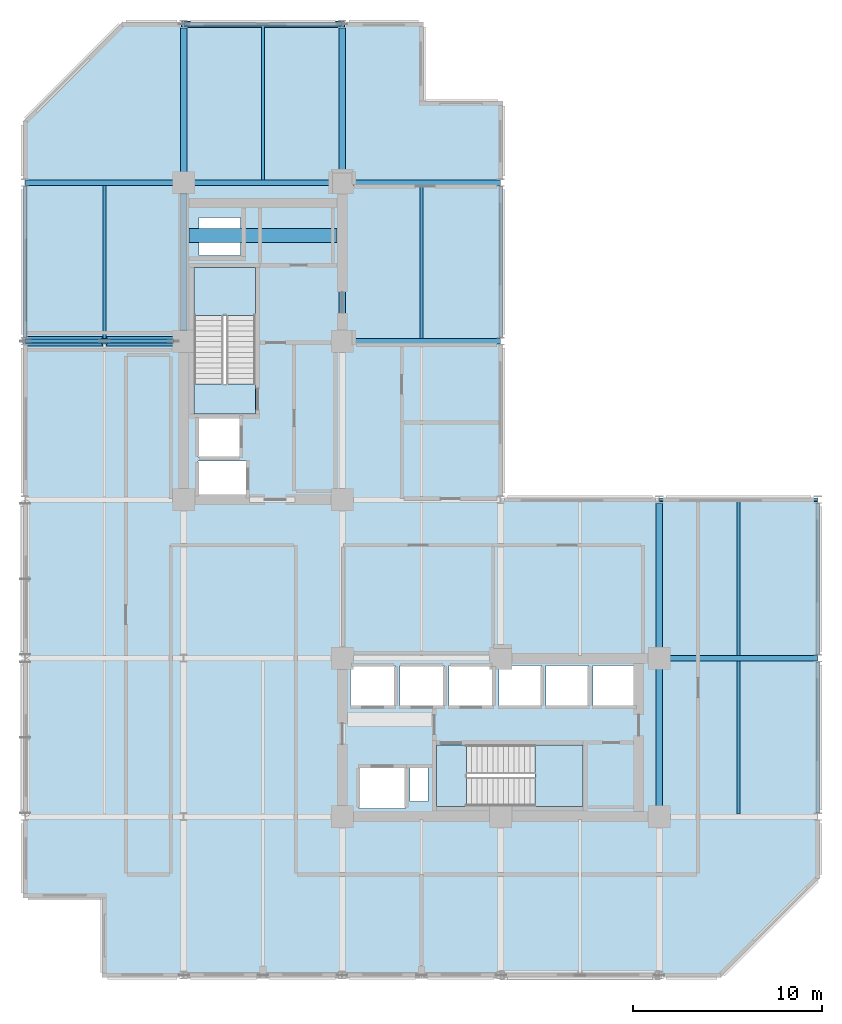
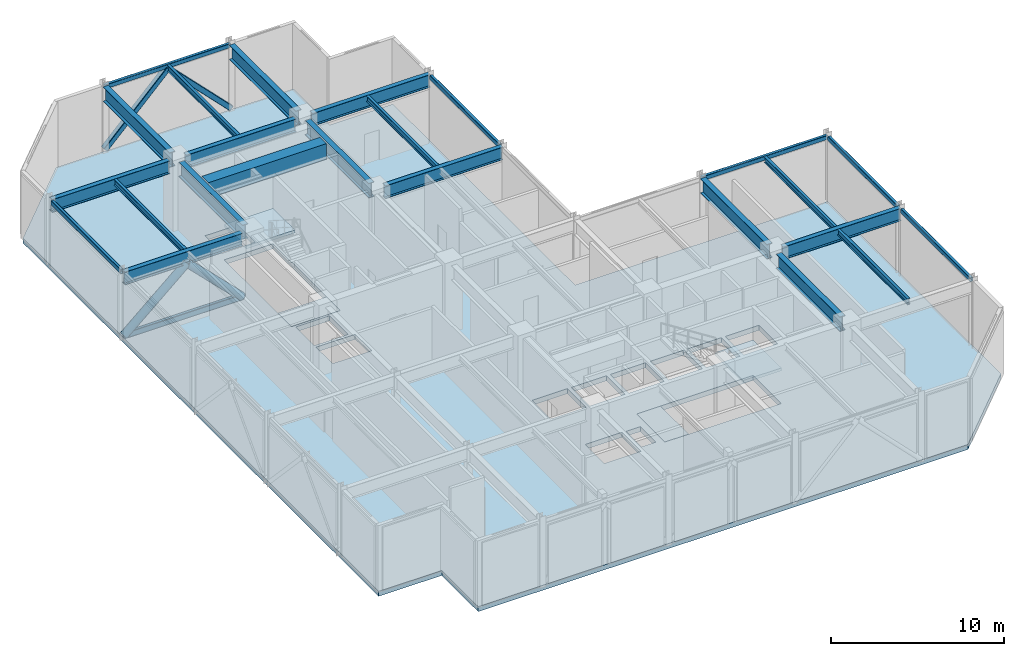
# One storey, part 2 of 10: 24 beams, 5 members, 5 slabs, 2 elements without a shape of their own.
"""IFC4 building model written with IfcOpenShell, lengths in metres."""

from ifc_helpers import new_model, si_unit, direction, frame, origin, origin_2d, place, context, subcontext, project, spatial, polyline, rectangle, hollow_rectangle, hollow_circle, i_section, outline, extrude, material, layer, layer_set, material_profile, profile_set, type_object, element, aggregate, save


model = new_model("IFC4")

# Units and contexts
model_context = context("Model", 3, precision=1e-05, world=origin(), true_north=direction((0.0, 1.0)))
body_context = subcontext(model_context, "Body", "Model", "MODEL_VIEW")
ifc_project = project(units=[si_unit("LENGTHUNIT", "METRE"), si_unit("AREAUNIT", "SQUARE_METRE"), si_unit("VOLUMEUNIT", "CUBIC_METRE"), si_unit("PLANEANGLEUNIT", "RADIAN"), si_unit("MASSUNIT", "GRAM", prefix="KILO")], contexts=[model_context])

# Site, building, storey
site_placement = place(None, origin())
site = spatial("IfcSite", under=ifc_project, at=site_placement, CompositionType="ELEMENT")
building_placement = place(site_placement, origin())
building = spatial("IfcBuilding", under=site, at=building_placement, Name="Nerrivon Quay Data Exchange", CompositionType="ELEMENT")
storey_placement = place(building_placement, frame((0.0, 0.0, 162.300048828125)))
storey = spatial("IfcBuildingStorey", under=building, at=storey_placement, Name="L38", CompositionType="ELEMENT", Elevation=162.300048828125)

# Beams
ifc_material_1 = material(Name="Concrete S65 (65 MPa)", Category="concrete")
ifc_material_profile_1 = material_profile(ifc_material_1, rectangle(XDim=0.75, YDim=1.10009765625, at=origin_2d()), Name="RC-CB-750x1100")
ifc_profile_set_1 = profile_set([ifc_material_profile_1], Name="Concrete S65 (65 MPa)")
beam_type_1 = type_object("IfcBeamType", Name="BM-CB1-750x1100", PredefinedType="LINTEL", material=ifc_profile_set_1)
beam_1_placement = place(storey_placement, frame((8.675048828125, 39.199951171875, 4.175048828125), z_axis=(1.0, 0.0, 0.0), x_axis=(0.0, 1.0, 0.0)))
element("IfcBeam", 1, at=beam_1_placement, inside=storey, type_object=beam_type_1, Name="L38 West Core Coupling Beam", PredefinedType="LINTEL", context=body_context, shape_type="SweptSolid", body=[
    extrude(rectangle(XDim=0.75, YDim=1.10009765625, at=origin_2d()), origin(), (0.0, 0.0, 1.0), 7.849853515625),
])
ifc_material_2 = material(Name="Steel Grade 350", Category="steel")
ifc_material_profile_2 = material_profile(ifc_material_2, i_section(OverallWidth=0.177978515625, OverallDepth=0.403076171875, WebThickness=0.007568359375, FlangeThickness=0.010986328125, FilletRadius=0.011474609375, at=origin_2d()), Name="410UB53.7")
ifc_profile_set_2 = profile_set([ifc_material_profile_2], Name="Steel Grade 350")
beam_type_2 = type_object("IfcBeamType", Name="BM-J2-410UB54", PredefinedType="JOIST", material=ifc_profile_set_2)
beam_2_placement = place(storey_placement, frame((4.199951171875, 33.75, 4.5234375), z_axis=(0.0, 1.0, 0.0), x_axis=(-1.0, 0.0, 0.0)))
element("IfcBeam", 2, at=beam_2_placement, inside=storey, type_object=beam_type_2, Name="L38 Secondary Joist X=4.2 (33.6..42.0)", PredefinedType="JOIST", context=body_context, shape_type="SweptSolid", body=[
    extrude(i_section(OverallWidth=0.177978515625, OverallDepth=0.403076171875, WebThickness=0.007568359375, FlangeThickness=0.010986328125, FilletRadius=0.011474609375, at=origin_2d()), origin(), (0.0, 0.0, 1.0), 8.10009765625),
])
beam_3_placement = place(storey_placement, frame((12.60009765625, 42.14990234375, 4.5234375), z_axis=(0.0, 1.0, 0.0), x_axis=(-1.0, 0.0, 0.0)))
element("IfcBeam", 3, at=beam_3_placement, inside=storey, type_object=beam_type_2, Name="L38 Secondary Joist X=12.6 (42.0..50.4)", PredefinedType="JOIST", context=body_context, shape_type="SweptSolid", body=[
    extrude(i_section(OverallWidth=0.177978515625, OverallDepth=0.403076171875, WebThickness=0.007568359375, FlangeThickness=0.010986328125, FilletRadius=0.011474609375, at=origin_2d()), origin(), (0.0, 0.0, 1.0), 8.150146484375),
])
beam_4_placement = place(storey_placement, frame((21.0, 33.75, 4.5234375), z_axis=(0.0, 1.0, 0.0), x_axis=(-1.0, 0.0, 0.0)))
element("IfcBeam", 4, at=beam_4_placement, inside=storey, type_object=beam_type_2, Name="L38 Secondary Joist X=21.0 (33.6..42.0)", PredefinedType="JOIST", context=body_context, shape_type="SweptSolid", body=[
    extrude(i_section(OverallWidth=0.177978515625, OverallDepth=0.403076171875, WebThickness=0.007568359375, FlangeThickness=0.010986328125, FilletRadius=0.011474609375, at=origin_2d()), origin(), (0.0, 0.0, 1.0), 8.10009765625),
])
beam_5_placement = place(storey_placement, frame((37.800048828125, 8.550048828125, 4.5234375), z_axis=(0.0, 1.0, 0.0), x_axis=(-1.0, 0.0, 0.0)))
element("IfcBeam", 5, at=beam_5_placement, inside=storey, type_object=beam_type_2, Name="L38 Secondary Joist X=37.8 (8.4..16.8)", PredefinedType="JOIST", context=body_context, shape_type="SweptSolid", body=[
    extrude(i_section(OverallWidth=0.177978515625, OverallDepth=0.403076171875, WebThickness=0.007568359375, FlangeThickness=0.010986328125, FilletRadius=0.011474609375, at=origin_2d()), origin(), (0.0, 0.0, 1.0), 8.099853515625),
])
beam_6_placement = place(storey_placement, frame((37.800048828125, 16.949951171875, 4.5234375), z_axis=(0.0, 1.0, 0.0), x_axis=(-1.0, 0.0, 0.0)))
element("IfcBeam", 6, at=beam_6_placement, inside=storey, type_object=beam_type_2, Name="L38 Secondary Joist X=37.8 (16.8..25.2)", PredefinedType="JOIST", context=body_context, shape_type="SweptSolid", body=[
    extrude(i_section(OverallWidth=0.177978515625, OverallDepth=0.403076171875, WebThickness=0.007568359375, FlangeThickness=0.010986328125, FilletRadius=0.011474609375, at=origin_2d()), origin(), (0.0, 0.0, 1.0), 8.150146484375),
])
ifc_material_profile_3 = material_profile(ifc_material_2, i_section(OverallWidth=0.300048828125, OverallDepth=0.89990234375, WebThickness=0.011962890625, FlangeThickness=0.02001953125, at=origin_2d()), Name="900WB175")
ifc_profile_set_3 = profile_set([ifc_material_profile_3], Name="Steel Grade 350")
beam_type_3 = type_object("IfcBeamType", Name="BM-OUT-900WB175", PredefinedType="BEAM", material=ifc_profile_set_3)
for number, where, z_axis, x_axis, name in (
    (7, (34.139892578125, 16.800048828125, 4.27490234375), (1.0, 0.0, 0.0), (0.0, 1.0, 0.0), "L38 EW Girder Y=16.8 (33.6..42.0)"),
    (8, (0.012451171875, 33.60009765625, 4.27490234375), (1.0, 0.0, 0.0), (0.0, 1.0, 0.0), "L38 EW Girder Y=33.6 (0.0..8.4)"),
):
    element("IfcBeam", number, at=place(storey_placement, frame(where, z_axis=z_axis, x_axis=x_axis)), inside=storey, type_object=beam_type_3, Name=name, PredefinedType="BEAM", context=body_context, shape_type="SweptSolid", body=[
        extrude(i_section(OverallWidth=0.300048828125, OverallDepth=0.89990234375, WebThickness=0.011962890625, FlangeThickness=0.02001953125, at=origin_2d()), origin(), (0.0, 0.0, 1.0), 7.84765625),
    ])
beam_7_placement = place(storey_placement, frame((17.340087890625, 33.60009765625, 4.27490234375), z_axis=(1.0, 0.0, 0.0), x_axis=(0.0, 1.0, 0.0)))
element("IfcBeam", 9, at=beam_7_placement, inside=storey, type_object=beam_type_3, Name="L38 EW Girder Y=33.6 (16.8..25.2)", PredefinedType="BEAM", context=body_context, shape_type="SweptSolid", body=[
    extrude(i_section(OverallWidth=0.300048828125, OverallDepth=0.89990234375, WebThickness=0.011962890625, FlangeThickness=0.02001953125, at=origin_2d()), origin(), (0.0, 0.0, 1.0), 7.847412109375),
])
beam_8_placement = place(storey_placement, frame((0.012451171875, 42.0, 4.27490234375), z_axis=(1.0, 0.0, 0.0), x_axis=(0.0, 1.0, 0.0)))
element("IfcBeam", 10, at=beam_8_placement, inside=storey, type_object=beam_type_3, Name="L38 EW Girder Y=42.0 (0.0..8.4)", PredefinedType="BEAM", context=body_context, shape_type="SweptSolid", body=[
    extrude(i_section(OverallWidth=0.300048828125, OverallDepth=0.89990234375, WebThickness=0.011962890625, FlangeThickness=0.02001953125, at=origin_2d()), origin(), (0.0, 0.0, 1.0), 7.84765625),
])
beam_9_placement = place(storey_placement, frame((8.93994140625, 42.0, 4.27490234375), z_axis=(1.0, 0.0, 0.0), x_axis=(0.0, 1.0, 0.0)))
element("IfcBeam", 11, at=beam_9_placement, inside=storey, type_object=beam_type_3, Name="L38 EW Girder Y=42.0 (8.4..16.8)", PredefinedType="BEAM", context=body_context, shape_type="SweptSolid", body=[
    extrude(i_section(OverallWidth=0.300048828125, OverallDepth=0.89990234375, WebThickness=0.011962890625, FlangeThickness=0.02001953125, at=origin_2d()), origin(), (0.0, 0.0, 1.0), 7.320068359375),
])
beam_10_placement = place(storey_placement, frame((17.340087890625, 42.0, 4.27490234375), z_axis=(1.0, 0.0, 0.0), x_axis=(0.0, 1.0, 0.0)))
element("IfcBeam", 12, at=beam_10_placement, inside=storey, type_object=beam_type_3, Name="L38 EW Girder Y=42.0 (16.8..25.2)", PredefinedType="BEAM", context=body_context, shape_type="SweptSolid", body=[
    extrude(i_section(OverallWidth=0.300048828125, OverallDepth=0.89990234375, WebThickness=0.011962890625, FlangeThickness=0.02001953125, at=origin_2d()), origin(), (0.0, 0.0, 1.0), 7.847412109375),
])
ifc_material_3 = material(Name="Steel Grade C350L0 (350 MPa)", Category="steel")
ifc_material_profile_4 = material_profile(ifc_material_3, hollow_rectangle(XDim=0.199951171875, YDim=0.300048828125, WallThickness=0.012451171875, InnerFilletRadius=0.018798828125, OuterFilletRadius=0.03125, at=origin_2d()), Name="300x200x12.5RHS")
ifc_profile_set_4 = profile_set([ifc_material_profile_4], Name="Steel Grade C350L0 (350 MPa)")
beam_type_4 = type_object("IfcBeamType", Name="BM-SP3-300x200RHS", PredefinedType="SPANDREL", material=ifc_profile_set_4)
for number, where, z_axis, x_axis, name in (
    (13, (33.612548828125, 25.199951171875, 4.574951171875), (1.0, 0.0, 0.0), (0.0, 1.0, 0.0), "L38 EW Girder Y=25.2 (33.6..42.0)"),
    (14, (8.41259765625, 50.39990234375, 4.574951171875), (1.0, 0.0, 0.0), (0.0, 1.0, 0.0), "L38 EW Girder Y=50.4 (8.4..16.8)"),
):
    element("IfcBeam", number, at=place(storey_placement, frame(where, z_axis=z_axis, x_axis=x_axis)), inside=storey, type_object=beam_type_4, Name=name, PredefinedType="SPANDREL", context=body_context, shape_type="SweptSolid", body=[
        extrude(hollow_rectangle(XDim=0.199951171875, YDim=0.300048828125, WallThickness=0.012451171875, InnerFilletRadius=0.018798828125, OuterFilletRadius=0.03125, at=origin_2d()), origin(), (0.0, 0.0, 1.0), 8.375),
    ])
for number, where, z_axis, x_axis, name in (
    (15, (0.0, 33.800048828125, 4.574951171875), (0.0, 1.0, 0.0), (-1.0, 0.0, 0.0), "L38 NS Girder X=0.0 (33.6..42.0)"),
    (16, (25.199951171875, 33.800048828125, 4.574951171875), (0.0, 1.0, 0.0), (-1.0, 0.0, 0.0), "L38 NS Girder X=25.2 (33.6..42.0)"),
    (17, (42.0, 8.60009765625, 4.574951171875), (0.0, 1.0, 0.0), (-1.0, 0.0, 0.0), "L38 NS Girder X=42.0 (8.4..16.8)"),
    (18, (42.0, 17.0, 4.574951171875), (0.0, 1.0, 0.0), (-1.0, 0.0, 0.0), "L38 NS Girder X=42.0 (16.8..25.2)"),
):
    element("IfcBeam", number, at=place(storey_placement, frame(where, z_axis=z_axis, x_axis=x_axis)), inside=storey, type_object=beam_type_4, Name=name, PredefinedType="SPANDREL", context=body_context, shape_type="SweptSolid", body=[
        extrude(hollow_rectangle(XDim=0.199951171875, YDim=0.300048828125, WallThickness=0.012451171875, InnerFilletRadius=0.018798828125, OuterFilletRadius=0.03125, at=origin_2d()), origin(), (0.0, 0.0, 1.0), 8.0),
    ])
ifc_material_profile_5 = material_profile(ifc_material_2, i_section(OverallWidth=0.35009765625, OverallDepth=1.01611328125, WebThickness=0.01611328125, FlangeThickness=0.028076171875, at=origin_2d()), Name="1000WB258")
ifc_profile_set_5 = profile_set([ifc_material_profile_5], Name="Steel Grade 350")
beam_type_5 = type_object("IfcBeamType", Name="BM-TG3-1000WB", PredefinedType="USERDEFINED", material=ifc_profile_set_5)
beam_11_placement = place(storey_placement, frame((8.39990234375, 34.139892578125, 4.217041015625), z_axis=(0.0, 1.0, 0.0), x_axis=(-1.0, 0.0, 0.0)))
element("IfcBeam", 19, at=beam_11_placement, inside=storey, type_object=beam_type_5, Name="L38 NS Girder X=8.4 (33.6..42.0)", ObjectType="TRANSFER", PredefinedType="USERDEFINED", context=body_context, shape_type="SweptSolid", body=[
    extrude(i_section(OverallWidth=0.35009765625, OverallDepth=1.01611328125, WebThickness=0.01611328125, FlangeThickness=0.028076171875, at=origin_2d()), origin(), (0.0, 0.0, 1.0), 7.320068359375),
])
beam_12_placement = place(storey_placement, frame((8.39990234375, 42.5400390625, 4.217041015625), z_axis=(0.0, 1.0, 0.0), x_axis=(-1.0, 0.0, 0.0)))
element("IfcBeam", 20, at=beam_12_placement, inside=storey, type_object=beam_type_5, Name="L38 NS Girder X=8.4 (42.0..50.4)", ObjectType="TRANSFER", PredefinedType="USERDEFINED", context=body_context, shape_type="SweptSolid", body=[
    extrude(i_section(OverallWidth=0.35009765625, OverallDepth=1.01611328125, WebThickness=0.01611328125, FlangeThickness=0.028076171875, at=origin_2d()), origin(), (0.0, 0.0, 1.0), 7.659912109375),
])
beam_13_placement = place(storey_placement, frame((16.800048828125, 34.139892578125, 4.217041015625), z_axis=(0.0, 1.0, 0.0), x_axis=(-1.0, 0.0, 0.0)))
element("IfcBeam", 21, at=beam_13_placement, inside=storey, type_object=beam_type_5, Name="L38 NS Girder X=16.8 (33.6..42.0)", ObjectType="TRANSFER", PredefinedType="USERDEFINED", context=body_context, shape_type="SweptSolid", body=[
    extrude(i_section(OverallWidth=0.35009765625, OverallDepth=1.01611328125, WebThickness=0.01611328125, FlangeThickness=0.028076171875, at=origin_2d()), origin(), (0.0, 0.0, 1.0), 7.320068359375),
])
beam_14_placement = place(storey_placement, frame((16.800048828125, 42.5400390625, 4.217041015625), z_axis=(0.0, 1.0, 0.0), x_axis=(-1.0, 0.0, 0.0)))
element("IfcBeam", 22, at=beam_14_placement, inside=storey, type_object=beam_type_5, Name="L38 NS Girder X=16.8 (42.0..50.4)", ObjectType="TRANSFER", PredefinedType="USERDEFINED", context=body_context, shape_type="SweptSolid", body=[
    extrude(i_section(OverallWidth=0.35009765625, OverallDepth=1.01611328125, WebThickness=0.01611328125, FlangeThickness=0.028076171875, at=origin_2d()), origin(), (0.0, 0.0, 1.0), 7.659912109375),
])
beam_15_placement = place(storey_placement, frame((33.60009765625, 8.93994140625, 4.217041015625), z_axis=(0.0, 1.0, 0.0), x_axis=(-1.0, 0.0, 0.0)))
element("IfcBeam", 23, at=beam_15_placement, inside=storey, type_object=beam_type_5, Name="L38 NS Girder X=33.6 (8.4..16.8)", ObjectType="TRANSFER", PredefinedType="USERDEFINED", context=body_context, shape_type="SweptSolid", body=[
    extrude(i_section(OverallWidth=0.35009765625, OverallDepth=1.01611328125, WebThickness=0.01611328125, FlangeThickness=0.028076171875, at=origin_2d()), origin(), (0.0, 0.0, 1.0), 7.320068359375),
])
beam_16_placement = place(storey_placement, frame((33.60009765625, 17.340087890625, 4.217041015625), z_axis=(0.0, 1.0, 0.0), x_axis=(-1.0, 0.0, 0.0)))
element("IfcBeam", 24, at=beam_16_placement, inside=storey, type_object=beam_type_5, Name="L38 NS Girder X=33.6 (16.8..25.2)", ObjectType="TRANSFER", PredefinedType="USERDEFINED", context=body_context, shape_type="SweptSolid", body=[
    extrude(i_section(OverallWidth=0.35009765625, OverallDepth=1.01611328125, WebThickness=0.01611328125, FlangeThickness=0.028076171875, at=origin_2d()), origin(), (0.0, 0.0, 1.0), 7.659912109375),
])

# Members
ifc_material_profile_6 = material_profile(ifc_material_3, hollow_rectangle(XDim=0.35009765625, YDim=0.35009765625, WallThickness=0.01611328125, InnerFilletRadius=0.02392578125, OuterFilletRadius=0.0400390625, at=origin_2d()), Name="350x350x16.0SHS")
ifc_profile_set_6 = profile_set([ifc_material_profile_6], Name="Steel Grade C350L0 (350 MPa)")
member_type_1 = type_object("IfcMemberType", Name="MEM-BB1-350SHS", PredefinedType="BRACE", material=ifc_profile_set_6)
for number, where, z_axis, x_axis, name in (
    (25, (8.41259765625, 50.39990234375, 0.179931640625), (0.701420227056, 0.0, 0.71274796743), (0.0, 1.0, 0.0), "L38 structural brace BB-L38-07A"),
    (26, (16.78759765625, 50.39990234375, 0.179931640625), (-0.701420227056, 0.0, 0.71274796743), (0.0, -1.0, 0.0), "L38 structural brace BB-L38-07B"),
):
    element("IfcMember", number, at=place(storey_placement, frame(where, z_axis=z_axis, x_axis=x_axis)), inside=storey, type_object=member_type_1, Name=name, PredefinedType="BRACE", context=body_context, shape_type="SweptSolid", body=[
        extrude(hollow_rectangle(XDim=0.35009765625, YDim=0.35009765625, WallThickness=0.01611328125, InnerFilletRadius=0.02392578125, OuterFilletRadius=0.0400390625, at=origin_2d()), origin(), (0.0, 0.0, 1.0), 5.969970703125),
    ])
ifc_material_profile_7 = material_profile(ifc_material_3, hollow_rectangle(XDim=0.199951171875, YDim=0.39990234375, WallThickness=0.01611328125, InnerFilletRadius=0.02392578125, OuterFilletRadius=0.0400390625, at=origin_2d()), Name="400x200x16.0RHS")
ifc_profile_set_7 = profile_set([ifc_material_profile_7], Name="Steel Grade C350L0 (350 MPa)")
member_type_2 = type_object("IfcMemberType", Name="MEM-CH1-400RHS", PredefinedType="CHORD", material=ifc_profile_set_7)
member_1_placement = place(storey_placement, frame((0.012451171875, 33.60009765625, 0.179931640625), z_axis=(1.0, 0.0, 0.0), x_axis=(0.0, 1.0, 0.0)))
element("IfcMember", 27, at=member_1_placement, inside=storey, type_object=member_type_2, Name="L38 Outrigger Bottom Chord 1", PredefinedType="CHORD", context=body_context, shape_type="SweptSolid", body=[
    extrude(hollow_rectangle(XDim=0.199951171875, YDim=0.39990234375, WallThickness=0.01611328125, InnerFilletRadius=0.02392578125, OuterFilletRadius=0.0400390625, at=origin_2d()), origin(), (0.0, 0.0, 1.0), 7.84765625),
])
ifc_material_profile_8 = material_profile(ifc_material_3, hollow_circle(Radius=0.25390625, WallThickness=0.02001953125, at=origin_2d()), Name="508.0x20.0CHS")
ifc_profile_set_8 = profile_set([ifc_material_profile_8], Name="Steel Grade C350L0 (350 MPa)")
member_type_3 = type_object("IfcMemberType", Name="MEM-OB2-508CHS", PredefinedType="BRACE", material=ifc_profile_set_8)
member_2_placement = place(storey_placement, frame((0.012451171875, 33.60009765625, 0.179931640625), z_axis=(0.753381531598, 0.0, 0.65758365844), x_axis=(0.0, 1.0, 0.0)))
element("IfcMember", 28, at=member_2_placement, inside=storey, type_object=member_type_3, Name="L38 structural brace OB-L38-01A", PredefinedType="BRACE", context=body_context, shape_type="SweptSolid", body=[
    extrude(hollow_circle(Radius=0.25390625, WallThickness=0.02001953125, at=origin_2d()), origin(), (0.0, 0.0, 1.0), 5.558349609375),
])
member_3_placement = place(storey_placement, frame((7.860107421875, 33.60009765625, 0.179931640625), z_axis=(-0.707602193365, 0.0, 0.70661102167), x_axis=(0.0, -1.0, 0.0)))
element("IfcMember", 29, at=member_3_placement, inside=storey, type_object=member_type_3, Name="L38 structural brace OB-L38-01B", PredefinedType="BRACE", context=body_context, shape_type="SweptSolid", body=[
    extrude(hollow_circle(Radius=0.25390625, WallThickness=0.02001953125, at=origin_2d()), origin(), (0.0, 0.0, 1.0), 5.172607421875),
])

# Stair, slab
ifc_material_4 = material(Name="Concrete N50 (50 MPa)", Category="concrete")
stair_type = type_object("IfcStairType", Name="STAIR-DOG-50", PredefinedType="HALF_TURN_STAIR", material=ifc_material_4)
stair_1_placement = place(storey_placement, origin())
stair_1 = element("IfcStair", 30, at=stair_1_placement, inside=storey, type_object=stair_type, Name="L38 West Core Fire Stair ST01", PredefinedType="HALF_TURN_STAIR")
ifc_layer_1 = layer(ifc_material_4, 0.199951171875)
ifc_layer_set_1 = layer_set([ifc_layer_1], Name="Concrete N50 (50 MPa)")
slab_type_1 = type_object("IfcSlabType", Name="SLB-LAND-200", PredefinedType="LANDING", material=ifc_layer_set_1)
slab_1_placement = place(storey_placement, frame((0.0, 0.0, 2.300048828125)))
slab_1 = element("IfcSlab", 31, at=slab_1_placement, type_object=slab_type_1, Name="ST01 landing 1", PredefinedType="LANDING", context=body_context, shape_type="SweptSolid", body=[
    extrude(outline(polyline([(12.199951171875, 34.969970703125), (12.199951171875, 37.5), (8.949951171875, 37.5), (8.949951171875, 34.969970703125), (12.199951171875, 34.969970703125)])), origin(), (0.0, 0.0, 1.0), 0.199951171875),
])
aggregate(stair_1, [slab_1])

# Slab
slab_2_placement = place(storey_placement, frame((0.0, 0.0, -0.199951171875)))
element("IfcSlab", 32, at=slab_2_placement, inside=storey, type_object=slab_type_1, Name="L38 ST01 floor landing", PredefinedType="LANDING", context=body_context, shape_type="SweptSolid", body=[
    extrude(outline(polyline([(12.199951171875, 29.75), (12.199951171875, 31.330078125), (8.949951171875, 31.330078125), (8.949951171875, 29.75), (12.199951171875, 29.75)])), origin(), (0.0, 0.0, 1.0), 0.199951171875),
])

# Stair, slab
stair_2_placement = place(storey_placement, origin())
stair_2 = element("IfcStair", 33, at=stair_2_placement, inside=storey, type_object=stair_type, Name="L38 East Core Fire Stair ST02", PredefinedType="HALF_TURN_STAIR")
slab_3_placement = place(storey_placement, frame((0.0, 0.0, 2.300048828125)))
slab_3 = element("IfcSlab", 34, at=slab_3_placement, type_object=slab_type_1, Name="ST02 landing 1", PredefinedType="LANDING", context=body_context, shape_type="SweptSolid", body=[
    extrude(outline(polyline([(27.02001953125, 8.949951171875), (29.550048828125, 8.949951171875), (29.550048828125, 12.199951171875), (27.02001953125, 12.199951171875), (27.02001953125, 8.949951171875)])), origin(), (0.0, 0.0, 1.0), 0.199951171875),
])
aggregate(stair_2, [slab_3])

# Slabs
slab_4_placement = place(storey_placement, frame((0.0, 0.0, -0.199951171875)))
element("IfcSlab", 35, at=slab_4_placement, inside=storey, type_object=slab_type_1, Name="L38 ST02 floor landing", PredefinedType="LANDING", context=body_context, shape_type="SweptSolid", body=[
    extrude(outline(polyline([(21.800048828125, 8.949951171875), (23.3798828125, 8.949951171875), (23.3798828125, 12.199951171875), (21.800048828125, 12.199951171875), (21.800048828125, 8.949951171875)])), origin(), (0.0, 0.0, 1.0), 0.199951171875),
])
ifc_layer_2 = layer(ifc_material_1, 0.35009765625)
ifc_layer_set_2 = layer_set([ifc_layer_2], Name="Concrete S65 (65 MPa)")
slab_type_2 = type_object("IfcSlabType", Name="SLB-TRANS-350", PredefinedType="FLOOR", material=ifc_layer_set_2)
slab_5_placement = place(storey_placement, frame((0.0, 0.0, -0.35009765625)))
element("IfcSlab", 36, at=slab_5_placement, inside=storey, type_object=slab_type_2, Name="L38 Primary Structural Slab", PredefinedType="FLOOR", context=body_context, shape_type="SweptSolid", body=[
    extrude(outline(polyline([(42.0, 25.199951171875), (25.199951171875, 25.199951171875), (25.199951171875, 46.199951171875), (21.0, 46.199951171875), (21.0, 50.39990234375), (5.199951171875, 50.39990234375), (0.0, 45.199951171875), (0.0, 4.199951171875), (4.199951171875, 4.199951171875), (4.199951171875, 0.0), (36.800048828125, 0.0), (42.0, 5.199951171875), (42.0, 25.199951171875)]), holes=[polyline([(8.949951171875, 29.75), (8.949951171875, 37.5), (12.199951171875, 37.5), (12.199951171875, 29.75), (8.949951171875, 29.75)]), polyline([(21.800048828125, 12.199951171875), (29.550048828125, 12.199951171875), (29.550048828125, 8.949951171875), (21.800048828125, 8.949951171875), (21.800048828125, 12.199951171875)]), polyline([(30.10009765625, 16.39990234375), (32.35009765625, 16.39990234375), (32.35009765625, 14.25), (30.10009765625, 14.25), (30.10009765625, 16.39990234375)]), polyline([(27.60009765625, 16.39990234375), (29.85009765625, 16.39990234375), (29.85009765625, 14.25), (27.60009765625, 14.25), (27.60009765625, 16.39990234375)]), polyline([(25.10009765625, 14.25), (25.10009765625, 16.39990234375), (27.35009765625, 16.39990234375), (27.35009765625, 14.25), (25.10009765625, 14.25)]), polyline([(22.449951171875, 16.39990234375), (24.800048828125, 16.39990234375), (24.800048828125, 14.25), (22.449951171875, 14.25), (22.449951171875, 16.39990234375)]), polyline([(19.85009765625, 16.39990234375), (22.199951171875, 16.39990234375), (22.199951171875, 14.25), (19.85009765625, 14.25), (19.85009765625, 16.39990234375)]), polyline([(20.39990234375, 9.199951171875), (20.39990234375, 11.0), (21.35009765625, 11.0), (21.35009765625, 9.199951171875), (20.39990234375, 9.199951171875)]), polyline([(17.699951171875, 8.830078125), (17.699951171875, 11.030029296875), (20.14990234375, 11.030029296875), (20.14990234375, 8.830078125), (17.699951171875, 8.830078125)]), polyline([(17.25, 14.25), (17.25, 16.39990234375), (19.60009765625, 16.39990234375), (19.60009765625, 14.25), (17.25, 14.25)]), polyline([(9.14990234375, 27.25), (11.75, 27.25), (11.75, 25.35009765625), (9.14990234375, 25.35009765625), (9.14990234375, 27.25)]), polyline([(9.14990234375, 29.60009765625), (11.39990234375, 29.60009765625), (11.39990234375, 27.449951171875), (9.14990234375, 27.449951171875), (9.14990234375, 29.60009765625)]), polyline([(9.199951171875, 38.14990234375), (9.199951171875, 40.14990234375), (11.39990234375, 40.14990234375), (11.39990234375, 38.14990234375), (9.199951171875, 38.14990234375)])]), origin(), (0.0, 0.0, 1.0), 0.35009765625),
])

save(model, "model.ifc")
